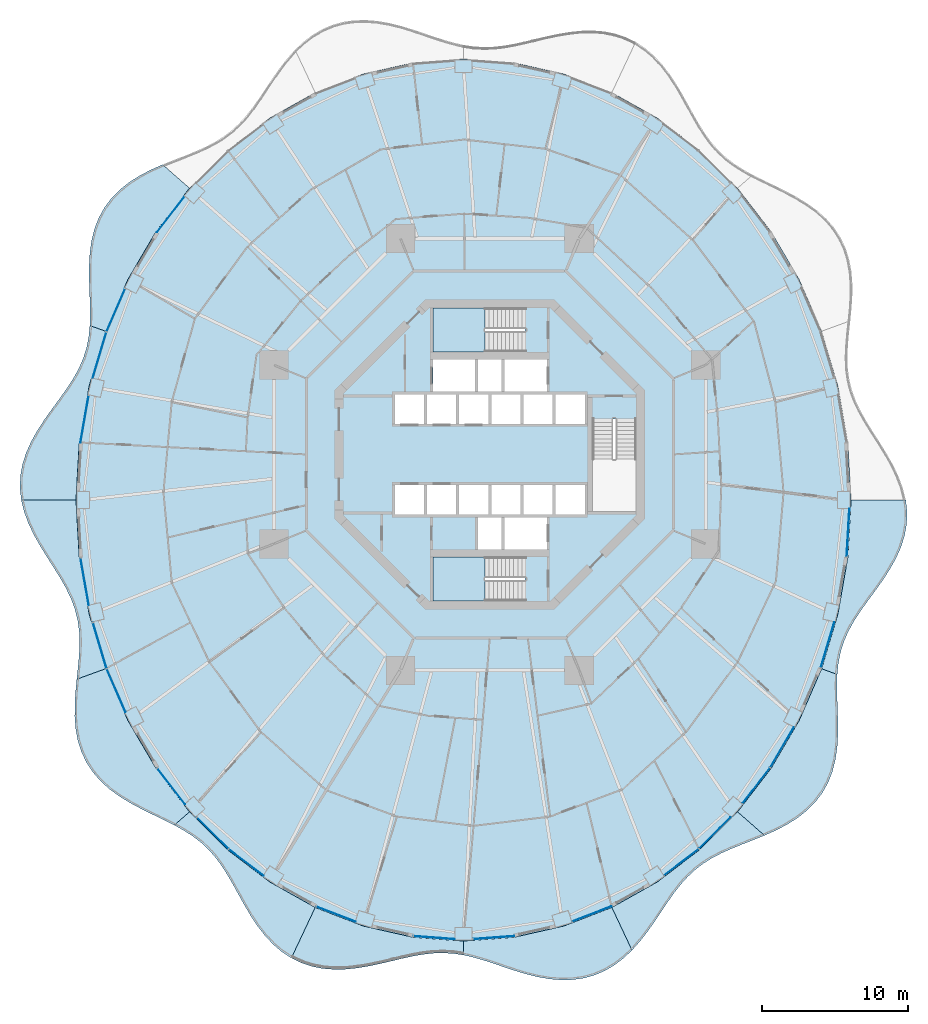
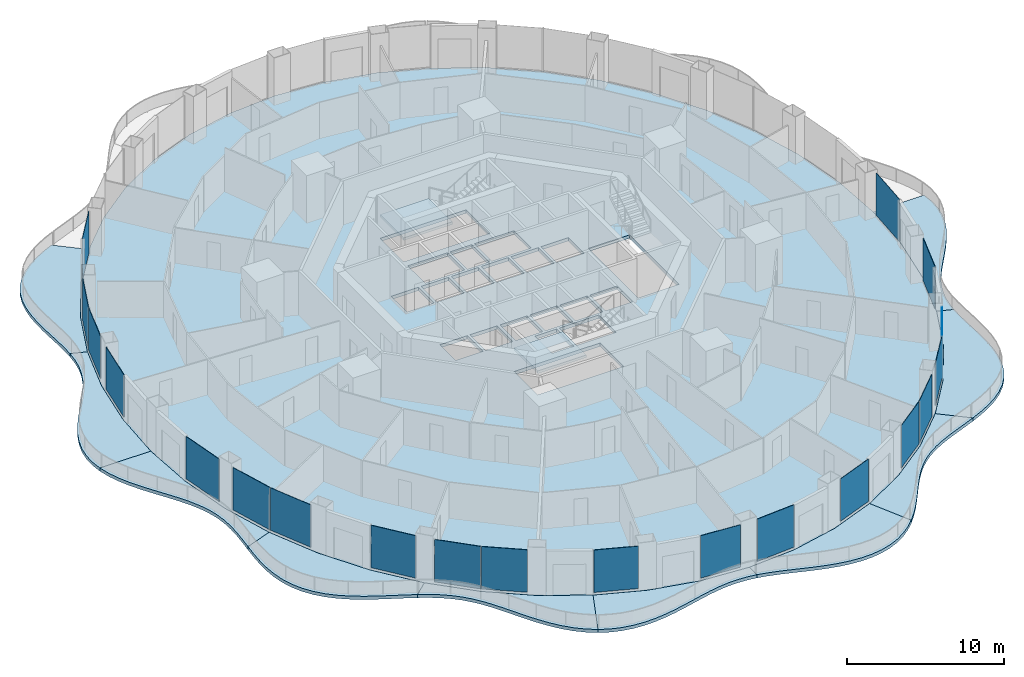
# One storey, part 9 of 19: 20 plates, 13 slabs, 22 elements without a shape of their own.
"""IFC4 building model written with IfcOpenShell, lengths in metres."""

from ifc_helpers import new_model, si_unit, direction, frame, origin, origin_2d, place, context, subcontext, project, spatial, polyline, rectangle, outline, extrude, material, layer, layer_set, type_object, element, aggregate, save


model = new_model("IFC4")

# Units and contexts
model_context = context("Model", 3, precision=1e-05, world=origin(), true_north=direction((0.0, 1.0)))
body_context = subcontext(model_context, "Body", "Model", "MODEL_VIEW")
ifc_project = project(units=[si_unit("LENGTHUNIT", "METRE"), si_unit("AREAUNIT", "SQUARE_METRE"), si_unit("VOLUMEUNIT", "CUBIC_METRE"), si_unit("PLANEANGLEUNIT", "RADIAN"), si_unit("MASSUNIT", "GRAM", prefix="KILO")], contexts=[model_context])

# Site, building, storey
site_placement = place(None, origin())
site = spatial("IfcSite", under=ifc_project, at=site_placement, CompositionType="ELEMENT")
building_placement = place(site_placement, origin())
building = spatial("IfcBuilding", under=site, at=building_placement, Name="Nagisa Residences", CompositionType="ELEMENT")
storey_placement = place(building_placement, frame((0.0, 0.0, 149.199951171875)))
storey = spatial("IfcBuildingStorey", under=building, at=storey_placement, Name="L37", CompositionType="ELEMENT", Elevation=149.199951171875)

# Slabs
ifc_material_1 = material(Name="Concrete C40/50", Category="concrete")
ifc_layer_1 = layer(ifc_material_1, 0.25)
ifc_layer_set_1 = layer_set([ifc_layer_1], Name="BALCONY SLAB 250")
slab_type_1 = type_object("IfcSlabType", Name="BALCONY SLAB 250", PredefinedType="FLOOR", material=ifc_layer_set_1)
slab_1_placement = place(storey_placement, frame((0.0, 0.0, -0.25)))
element("IfcSlab", 1, at=slab_1_placement, inside=storey, type_object=slab_type_1, Name="slab:L37:bal06", PredefinedType="FLOOR", context=body_context, shape_type="SweptSolid", body=[
    extrude(outline(polyline([(-22.398193359375, 19.845947265625), (-23.185791015625, 19.494873046875), (-23.947265625, 19.099609375), (-24.6630859375, 18.649658203125), (-25.315673828125, 18.13720703125), (-25.889892578125, 17.558837890625), (-26.375244140625, 16.915283203125), (-26.764892578125, 16.210693359375), (-27.058349609375, 15.452392578125), (-27.259765625, 14.651123046875), (-27.37890625, 13.818603515625), (-27.4306640625, 12.96728515625), (-27.433349609375, 12.1103515625), (-27.407958984375, 11.259033203125), (-27.37646484375, 10.423095703125), (-27.36083984375, 9.6103515625), (-27.381591796875, 8.82568359375), (-26.315185546875, 8.4375), (-24.780029296875, 11.979736328125), (-22.8515625, 15.263916015625), (-20.56298828125, 18.2333984375), (-22.398193359375, 19.845947265625)])), origin(), (0.0, 0.0, 1.0), 0.25),
])
slab_2_placement = place(storey_placement, frame((0.0, 0.0, -0.25)))
element("IfcSlab", 2, at=slab_2_placement, inside=storey, type_object=slab_type_1, Name="slab:L37:bal07", PredefinedType="FLOOR", context=body_context, shape_type="SweptSolid", body=[
    extrude(outline(polyline([(-27.381591796875, 8.82568359375), (-27.458984375, 8.047119140625), (-27.607177734375, 7.299072265625), (-27.833984375, 6.57763671875), (-28.140380859375, 5.876953125), (-28.521484375, 5.18896484375), (-28.96533203125, 4.505615234375), (-29.4541015625, 3.818359375), (-29.9658203125, 3.1201171875), (-30.4755859375, 2.404541015625), (-30.957275390625, 1.668212890625), (-31.385009765625, 0.90966796875), (-31.73583984375, 0.1298828125), (-31.990966796875, -0.66845703125), (-32.13623046875, -1.47998046875), (-32.16455078125, -2.298583984375), (-32.07568359375, -3.11767578125), (-28.3349609375, -3.11767578125), (-28.10791015625, 0.823486328125), (-27.430908203125, 4.697265625), (-26.315185546875, 8.4375), (-27.381591796875, 8.82568359375)])), origin(), (0.0, 0.0, 1.0), 0.25),
])
slab_3_placement = place(storey_placement, frame((0.0, 0.0, -0.25)))
element("IfcSlab", 3, at=slab_3_placement, inside=storey, type_object=slab_type_1, Name="slab:L37:bal08", PredefinedType="FLOOR", context=body_context, shape_type="SweptSolid", body=[
    extrude(outline(polyline([(-32.07568359375, -3.11767578125), (-31.876220703125, -3.9306640625), (-31.579345703125, -4.731689453125), (-31.203369140625, -5.516357421875), (-30.771484375, -6.2822265625), (-30.30908203125, -7.029052734375), (-29.8427734375, -7.759033203125), (-29.39794921875, -8.476318359375), (-28.9970703125, -9.186767578125), (-28.658447265625, -9.8974609375), (-28.394775390625, -10.615966796875), (-28.21240234375, -11.349365234375), (-28.110595703125, -12.104248046875), (-28.08203125, -12.885009765625), (-28.11328125, -13.693359375), (-28.185546875, -14.5283203125), (-28.2763671875, -15.38671875), (-26.315185546875, -14.6728515625), (-27.430908203125, -10.9326171875), (-28.10791015625, -7.058837890625), (-28.3349609375, -3.11767578125), (-32.07568359375, -3.11767578125)])), origin(), (0.0, 0.0, 1.0), 0.25),
])
slab_4_placement = place(storey_placement, frame((0.0, 0.0, -0.25)))
element("IfcSlab", 4, at=slab_4_placement, inside=storey, type_object=slab_type_1, Name="slab:L37:bal09", PredefinedType="FLOOR", context=body_context, shape_type="SweptSolid", body=[
    extrude(outline(polyline([(-28.2763671875, -15.38671875), (-28.358642578125, -16.234130859375), (-28.412841796875, -17.08837890625), (-28.416748046875, -17.939208984375), (-28.351806640625, -18.775390625), (-28.20263671875, -19.58544921875), (-27.958984375, -20.358154296875), (-27.61572265625, -21.083740234375), (-27.173583984375, -21.75537109375), (-26.638671875, -22.3681640625), (-26.022216796875, -22.92138671875), (-25.33935546875, -23.41796875), (-24.608154296875, -23.8642578125), (-23.84912109375, -24.269775390625), (-23.081787109375, -24.647216796875), (-22.32568359375, -25.01123046875), (-21.597412109375, -25.377685546875), (-20.56298828125, -24.46875), (-22.8515625, -21.499267578125), (-24.780029296875, -18.215087890625), (-26.315185546875, -14.6728515625), (-28.2763671875, -15.38671875)])), origin(), (0.0, 0.0, 1.0), 0.25),
])
slab_5_placement = place(storey_placement, frame((0.0, 0.0, -0.25)))
element("IfcSlab", 5, at=slab_5_placement, inside=storey, type_object=slab_type_1, Name="slab:L37:bal10", PredefinedType="FLOOR", context=body_context, shape_type="SweptSolid", body=[
    extrude(outline(polyline([(-21.597412109375, -25.377685546875), (-20.941162109375, -25.7431640625), (-20.330322265625, -26.136962890625), (-19.768798828125, -26.56982421875), (-19.256103515625, -27.04931640625), (-18.788818359375, -27.579833984375), (-18.359375, -28.16162109375), (-17.957275390625, -28.791259765625), (-17.5703125, -29.461181640625), (-17.185302734375, -30.159912109375), (-16.7880859375, -30.873046875), (-16.365966796875, -31.583984375), (-15.908203125, -32.274169921875), (-15.405517578125, -32.925048828125), (-14.852294921875, -33.519287109375), (-14.245849609375, -34.040771484375), (-13.586669921875, -34.47705078125), (-11.95458984375, -31.01416015625), (-15.0673828125, -29.267333984375), (-17.953369140625, -27.072998046875), (-20.56298828125, -24.46875), (-21.597412109375, -25.377685546875)])), origin(), (0.0, 0.0, 1.0), 0.25),
])
slab_6_placement = place(storey_placement, frame((0.0, 0.0, -0.25)))
element("IfcSlab", 6, at=slab_6_placement, inside=storey, type_object=slab_type_1, Name="slab:L37:bal11", PredefinedType="FLOOR", context=body_context, shape_type="SweptSolid", body=[
    extrude(outline(polyline([(-13.586669921875, -34.47705078125), (-12.905029296875, -34.808349609375), (-12.18359375, -35.04833984375), (-11.429931640625, -35.197021484375), (-10.653076171875, -35.25927734375), (-9.86181640625, -35.2431640625), (-9.065673828125, -35.1611328125), (-8.272705078125, -35.028564453125), (-7.490478515625, -34.8623046875), (-6.7236328125, -34.6806640625), (-5.975830078125, -34.50244140625), (-5.24755859375, -34.344482421875), (-4.537841796875, -34.22216796875), (-3.84326171875, -34.1474609375), (-3.159423828125, -34.12890625), (-2.480224609375, -34.170654296875), (-1.800048828125, -34.27197265625), (-1.800048828125, -33.312744140625), (-5.263427734375, -33.054443359375), (-8.667724609375, -32.283935546875), (-11.95458984375, -31.01416015625), (-13.586669921875, -34.47705078125)])), origin(), (0.0, 0.0, 1.0), 0.25),
])
slab_7_placement = place(storey_placement, frame((0.0, 0.0, -0.25)))
element("IfcSlab", 7, at=slab_7_placement, inside=storey, type_object=slab_type_1, Name="slab:L37:bal12", PredefinedType="FLOOR", context=body_context, shape_type="SweptSolid", body=[
    extrude(outline(polyline([(-1.800048828125, -34.27197265625), (-1.1123046875, -34.427978515625), (-0.412353515625, -34.629150390625), (0.3037109375, -34.863037109375), (1.038330078125, -35.113525390625), (1.79150390625, -35.362548828125), (2.560791015625, -35.591552734375), (3.342529296875, -35.78173828125), (4.13037109375, -35.916015625), (4.9169921875, -35.979248046875), (5.694091796875, -35.95947265625), (6.453125, -35.848388671875), (7.185546875, -35.642333984375), (7.884521484375, -35.341796875), (8.544189453125, -34.95166015625), (9.1611328125, -34.48095703125), (9.734130859375, -33.941162109375), (8.3544921875, -31.01416015625), (5.06787109375, -32.283935546875), (1.66357421875, -33.054443359375), (-1.800048828125, -33.312744140625), (-1.800048828125, -34.27197265625)])), origin(), (0.0, 0.0, 1.0), 0.25),
])
slab_8_placement = place(storey_placement, frame((0.0, 0.0, -0.25)))
element("IfcSlab", 8, at=slab_8_placement, inside=storey, type_object=slab_type_1, Name="slab:L37:bal13", PredefinedType="FLOOR", context=body_context, shape_type="SweptSolid", body=[
    extrude(outline(polyline([(9.734130859375, -33.941162109375), (10.2841796875, -33.324951171875), (10.79345703125, -32.669189453125), (11.27001953125, -31.993408203125), (11.723388671875, -31.316650390625), (12.165283203125, -30.656494140625), (12.6083984375, -30.027587890625), (13.065185546875, -29.442138671875), (13.54736328125, -28.907470703125), (14.06396484375, -28.427001953125), (14.62255859375, -28.000244140625), (15.2265625, -27.621826171875), (15.8759765625, -27.28369140625), (16.56689453125, -26.974609375), (17.292236328125, -26.6806640625), (18.04052734375, -26.3876953125), (18.798095703125, -26.081298828125), (16.963134765625, -24.46875), (14.353515625, -27.072998046875), (11.467529296875, -29.267333984375), (8.3544921875, -31.01416015625), (9.734130859375, -33.941162109375)])), origin(), (0.0, 0.0, 1.0), 0.25),
])
slab_9_placement = place(storey_placement, frame((0.0, 0.0, -0.25)))
element("IfcSlab", 9, at=slab_9_placement, inside=storey, type_object=slab_type_1, Name="slab:L37:bal14", PredefinedType="FLOOR", context=body_context, shape_type="SweptSolid", body=[
    extrude(outline(polyline([(18.798095703125, -26.081298828125), (19.585693359375, -25.730224609375), (20.34716796875, -25.3349609375), (21.06298828125, -24.885009765625), (21.715576171875, -24.37255859375), (22.2900390625, -23.794189453125), (22.775146484375, -23.150634765625), (23.1650390625, -22.446044921875), (23.458251953125, -21.68798828125), (23.65966796875, -20.886474609375), (23.779052734375, -20.053955078125), (23.830810546875, -19.20263671875), (23.83349609375, -18.345703125), (23.807861328125, -17.494384765625), (23.7763671875, -16.658447265625), (23.760986328125, -15.845947265625), (23.78173828125, -15.06103515625), (22.715087890625, -14.6728515625), (21.179931640625, -18.215087890625), (19.251708984375, -21.499267578125), (16.963134765625, -24.46875), (18.798095703125, -26.081298828125)])), origin(), (0.0, 0.0, 1.0), 0.25),
])
slab_10_placement = place(storey_placement, frame((0.0, 0.0, -0.25)))
element("IfcSlab", 10, at=slab_10_placement, inside=storey, type_object=slab_type_1, Name="slab:L37:bal15", PredefinedType="FLOOR", context=body_context, shape_type="SweptSolid", body=[
    extrude(outline(polyline([(23.78173828125, -15.06103515625), (23.859130859375, -14.282470703125), (24.007080078125, -13.534423828125), (24.23388671875, -12.81298828125), (24.54052734375, -12.1123046875), (24.921630859375, -11.42431640625), (25.365234375, -10.740966796875), (25.85400390625, -10.0537109375), (26.36572265625, -9.35546875), (26.87548828125, -8.639892578125), (27.357177734375, -7.90380859375), (27.78515625, -7.14501953125), (28.135986328125, -6.365234375), (28.390869140625, -5.567138671875), (28.5361328125, -4.755615234375), (28.564697265625, -3.936767578125), (28.475830078125, -3.11767578125), (24.735107421875, -3.11767578125), (24.508056640625, -7.058837890625), (23.830810546875, -10.9326171875), (22.715087890625, -14.6728515625), (23.78173828125, -15.06103515625)])), origin(), (0.0, 0.0, 1.0), 0.25),
])

# Curtain wall, plate
ifc_material_2 = material(Name="Concrete-coloured aluminium curtain wall system", Category="concrete")
ifc_layer_2 = layer(ifc_material_2, 0.159912109375)
ifc_layer_set_2 = layer_set([ifc_layer_2], Name="CW1 CURTAIN WALL")
curtain_wall_type = type_object("IfcCurtainWallType", Name="CW1 CURTAIN WALL", PredefinedType="NOTDEFINED", material=ifc_layer_set_2)
curtain_wall_1_placement = place(storey_placement, origin())
curtain_wall_1 = element("IfcCurtainWall", 11, at=curtain_wall_1_placement, inside=storey, type_object=curtain_wall_type, Name="cw:CW1:L37:18", PredefinedType="NOTDEFINED")
ifc_material_3 = material(Name="Clear laminated glass", Category="glass")
ifc_layer_3 = layer(ifc_material_3, 0.028076171875)
ifc_layer_set_3 = layer_set([ifc_layer_3], Name="CW1 GLASS PANEL")
plate_type = type_object("IfcPlateType", Name="CW1 GLASS PANEL", PredefinedType="CURTAIN_PANEL", material=ifc_layer_set_3)
plate_1_placement = place(storey_placement, frame((-21.845458984375, 16.4384765625, 0.150146484375), z_axis=(0.0, 0.0, 1.0), x_axis=(-0.610429828235, -0.792070340816, 0.0)))
plate_1 = element("IfcPlate", 12, at=plate_1_placement, type_object=plate_type, Name="CW1 panel", PredefinedType="CURTAIN_PANEL", context=body_context, shape_type="SweptSolid", body=[
    extrude(rectangle(XDim=3.089111328125, YDim=0.028076171875, at=origin_2d()), origin(), (0.0, 0.0, 1.0), 3.2900390625),
])
aggregate(curtain_wall_1, [plate_1])

curtain_wall_2_placement = place(storey_placement, origin())
curtain_wall_2 = element("IfcCurtainWall", 13, at=curtain_wall_2_placement, inside=storey, type_object=curtain_wall_type, Name="cw:CW1:L37:20", PredefinedType="NOTDEFINED")
plate_2_placement = place(storey_placement, frame((-25.60546875, 9.8740234375, 0.150146484375), z_axis=(0.0, 0.0, 1.0), x_axis=(-0.397635934147, -0.917543276295, 0.0)))
plate_2 = element("IfcPlate", 14, at=plate_2_placement, type_object=plate_type, Name="CW1 panel", PredefinedType="CURTAIN_PANEL", context=body_context, shape_type="SweptSolid", body=[
    extrude(rectangle(XDim=3.20068359375, YDim=0.028076171875, at=origin_2d()), origin(), (0.0, 0.0, 1.0), 3.2900390625),
])
aggregate(curtain_wall_2, [plate_2])

curtain_wall_3_placement = place(storey_placement, origin())
curtain_wall_3 = element("IfcCurtainWall", 15, at=curtain_wall_3_placement, inside=storey, type_object=curtain_wall_type, Name="cw:CW1:L37:21", PredefinedType="NOTDEFINED")
plate_3_placement = place(storey_placement, frame((-26.71923828125, 6.80322265625, 0.150146484375), z_axis=(0.0, 0.0, 1.0), x_axis=(-0.285860274038, -0.958271310082, 0.0)))
plate_3 = element("IfcPlate", 16, at=plate_3_placement, type_object=plate_type, Name="CW1 panel", PredefinedType="CURTAIN_PANEL", context=body_context, shape_type="SweptSolid", body=[
    extrude(rectangle(XDim=3.242919921875, YDim=0.028076171875, at=origin_2d()), origin(), (0.0, 0.0, 1.0), 3.2900390625),
])
aggregate(curtain_wall_3, [plate_3])

curtain_wall_4_placement = place(storey_placement, origin())
curtain_wall_4 = element("IfcCurtainWall", 17, at=curtain_wall_4_placement, inside=storey, type_object=curtain_wall_type, Name="cw:CW1:L37:22", PredefinedType="NOTDEFINED")
plate_4_placement = place(storey_placement, frame((-27.747314453125, 2.421630859375, 0.150146484375), z_axis=(0.0, 0.0, 1.0), x_axis=(-0.172190868898, -0.985063604377, 0.0)))
plate_4 = element("IfcPlate", 18, at=plate_4_placement, type_object=plate_type, Name="CW1 panel", PredefinedType="CURTAIN_PANEL", context=body_context, shape_type="SweptSolid", body=[
    extrude(rectangle(XDim=3.2724609375, YDim=0.028076171875, at=origin_2d()), origin(), (0.0, 0.0, 1.0), 3.2900390625),
])
aggregate(curtain_wall_4, [plate_4])

curtain_wall_5_placement = place(storey_placement, origin())
curtain_wall_5 = element("IfcCurtainWall", 19, at=curtain_wall_5_placement, inside=storey, type_object=curtain_wall_type, Name="cw:CW1:L37:25", PredefinedType="NOTDEFINED")
plate_5_placement = place(storey_placement, frame((-27.737060546875, -8.716064453125, 0.150146484375), z_axis=(0.0, 0.0, 1.0), x_axis=(0.172190868898, -0.985063604377, 0.0)))
plate_5 = element("IfcPlate", 20, at=plate_5_placement, type_object=plate_type, Name="CW1 panel", PredefinedType="CURTAIN_PANEL", context=body_context, shape_type="SweptSolid", body=[
    extrude(rectangle(XDim=3.2724609375, YDim=0.028076171875, at=origin_2d()), origin(), (0.0, 0.0, 1.0), 3.2900390625),
])
aggregate(curtain_wall_5, [plate_5])

curtain_wall_6_placement = place(storey_placement, origin())
curtain_wall_6 = element("IfcCurtainWall", 21, at=curtain_wall_6_placement, inside=storey, type_object=curtain_wall_type, Name="cw:CW1:L37:26", PredefinedType="NOTDEFINED")
plate_6_placement = place(storey_placement, frame((-26.701904296875, -13.09619140625, 0.150146484375), z_axis=(0.0, 0.0, 1.0), x_axis=(0.285860274038, -0.958271310082, 0.0)))
plate_6 = element("IfcPlate", 22, at=plate_6_placement, type_object=plate_type, Name="CW1 panel", PredefinedType="CURTAIN_PANEL", context=body_context, shape_type="SweptSolid", body=[
    extrude(rectangle(XDim=3.242919921875, YDim=0.028076171875, at=origin_2d()), origin(), (0.0, 0.0, 1.0), 3.2900390625),
])
aggregate(curtain_wall_6, [plate_6])

curtain_wall_7_placement = place(storey_placement, origin())
curtain_wall_7 = element("IfcCurtainWall", 23, at=curtain_wall_7_placement, inside=storey, type_object=curtain_wall_type, Name="cw:CW1:L37:27", PredefinedType="NOTDEFINED")
plate_7_placement = place(storey_placement, frame((-25.58154296875, -16.16455078125, 0.150146484375), z_axis=(0.0, 0.0, 1.0), x_axis=(0.397635934147, -0.917543276295, 0.0)))
plate_7 = element("IfcPlate", 24, at=plate_7_placement, type_object=plate_type, Name="CW1 panel", PredefinedType="CURTAIN_PANEL", context=body_context, shape_type="SweptSolid", body=[
    extrude(rectangle(XDim=3.20068359375, YDim=0.028076171875, at=origin_2d()), origin(), (0.0, 0.0, 1.0), 3.2900390625),
])
aggregate(curtain_wall_7, [plate_7])

curtain_wall_8_placement = place(storey_placement, origin())
curtain_wall_8 = element("IfcCurtainWall", 25, at=curtain_wall_8_placement, inside=storey, type_object=curtain_wall_type, Name="cw:CW1:L37:29", PredefinedType="NOTDEFINED")
plate_8_placement = place(storey_placement, frame((-21.808837890625, -22.721435546875, 0.150146484375), z_axis=(0.0, 0.0, 1.0), x_axis=(0.610429828235, -0.792070340816, 0.0)))
plate_8 = element("IfcPlate", 26, at=plate_8_placement, type_object=plate_type, Name="CW1 panel", PredefinedType="CURTAIN_PANEL", context=body_context, shape_type="SweptSolid", body=[
    extrude(rectangle(XDim=3.089111328125, YDim=0.028076171875, at=origin_2d()), origin(), (0.0, 0.0, 1.0), 3.2900390625),
])
aggregate(curtain_wall_8, [plate_8])

curtain_wall_9_placement = place(storey_placement, origin())
curtain_wall_9 = element("IfcCurtainWall", 27, at=curtain_wall_9_placement, inside=storey, type_object=curtain_wall_type, Name="cw:CW1:L37:30", PredefinedType="NOTDEFINED")
plate_9_placement = place(storey_placement, frame((-18.96826171875, -25.947265625, 0.150146484375), z_axis=(0.0, 0.0, 1.0), x_axis=(0.707835924016, -0.706376885714, 0.0)))
plate_9 = element("IfcPlate", 28, at=plate_9_placement, type_object=plate_type, Name="CW1 panel", PredefinedType="CURTAIN_PANEL", context=body_context, shape_type="SweptSolid", body=[
    extrude(rectangle(XDim=3.026611328125, YDim=0.028076171875, at=origin_2d()), origin(), (0.0, 0.0, 1.0), 3.2900390625),
])
aggregate(curtain_wall_9, [plate_9])

curtain_wall_10_placement = place(storey_placement, origin())
curtain_wall_10 = element("IfcCurtainWall", 29, at=curtain_wall_10_placement, inside=storey, type_object=curtain_wall_type, Name="cw:CW1:L37:31", PredefinedType="NOTDEFINED")
plate_10_placement = place(storey_placement, frame((-16.677001953125, -27.943115234375, 0.150146484375), z_axis=(0.0, 0.0, 1.0), x_axis=(0.79603132756, -0.605255421737, 0.0)))
plate_10 = element("IfcPlate", 30, at=plate_10_placement, type_object=plate_type, Name="CW1 panel", PredefinedType="CURTAIN_PANEL", context=body_context, shape_type="SweptSolid", body=[
    extrude(rectangle(XDim=2.965576171875, YDim=0.028076171875, at=origin_2d()), origin(), (0.0, 0.0, 1.0), 3.2900390625),
])
aggregate(curtain_wall_10, [plate_10])

curtain_wall_11_placement = place(storey_placement, origin())
curtain_wall_11 = element("IfcCurtainWall", 31, at=curtain_wall_11_placement, inside=storey, type_object=curtain_wall_type, Name="cw:CW1:L37:33", PredefinedType="NOTDEFINED")
plate_11_placement = place(storey_placement, frame((-10.5341796875, -31.47705078125, 0.150146484375), z_axis=(0.0, 0.0, 1.0), x_axis=(0.932825759707, -0.360327770268, 0.0)))
plate_11 = element("IfcPlate", 32, at=plate_11_placement, type_object=plate_type, Name="CW1 panel", PredefinedType="CURTAIN_PANEL", context=body_context, shape_type="SweptSolid", body=[
    extrude(rectangle(XDim=2.863525390625, YDim=0.028076171875, at=origin_2d()), origin(), (0.0, 0.0, 1.0), 3.2900390625),
])
aggregate(curtain_wall_11, [plate_11])

curtain_wall_12_placement = place(storey_placement, origin())
curtain_wall_12 = element("IfcCurtainWall", 33, at=curtain_wall_12_placement, inside=storey, type_object=curtain_wall_type, Name="cw:CW1:L37:35", PredefinedType="NOTDEFINED")
plate_12_placement = place(storey_placement, frame((-3.795166015625, -33.083740234375, 0.150146484375), z_axis=(0.0, 0.0, 1.0), x_axis=(0.997230168512, -0.074377355493, 0.0)))
plate_12 = element("IfcPlate", 34, at=plate_12_placement, type_object=plate_type, Name="CW1 panel", PredefinedType="CURTAIN_PANEL", context=body_context, shape_type="SweptSolid", body=[
    extrude(rectangle(XDim=2.813232421875, YDim=0.028076171875, at=origin_2d()), origin(), (0.0, 0.0, 1.0), 3.2900390625),
])
aggregate(curtain_wall_12, [plate_12])

curtain_wall_13_placement = place(storey_placement, origin())
curtain_wall_13 = element("IfcCurtainWall", 35, at=curtain_wall_13_placement, inside=storey, type_object=curtain_wall_type, Name="cw:CW1:L37:36", PredefinedType="NOTDEFINED")
plate_13_placement = place(storey_placement, frame((0.2548828125, -33.0791015625, 0.150146484375), z_axis=(0.0, 0.0, 1.0), x_axis=(0.997230168512, 0.074377355493, 0.0)))
plate_13 = element("IfcPlate", 36, at=plate_13_placement, type_object=plate_type, Name="CW1 panel", PredefinedType="CURTAIN_PANEL", context=body_context, shape_type="SweptSolid", body=[
    extrude(rectangle(XDim=2.813232421875, YDim=0.028076171875, at=origin_2d()), origin(), (0.0, 0.0, 1.0), 3.2900390625),
])
aggregate(curtain_wall_13, [plate_13])

curtain_wall_14_placement = place(storey_placement, origin())
curtain_wall_14 = element("IfcCurtainWall", 37, at=curtain_wall_14_placement, inside=storey, type_object=curtain_wall_type, Name="cw:CW1:L37:38", PredefinedType="NOTDEFINED")
plate_14_placement = place(storey_placement, frame((6.990234375, -31.45556640625, 0.150146484375), z_axis=(0.0, 0.0, 1.0), x_axis=(0.932825759707, 0.360327770268, 0.0)))
plate_14 = element("IfcPlate", 38, at=plate_14_placement, type_object=plate_type, Name="CW1 panel", PredefinedType="CURTAIN_PANEL", context=body_context, shape_type="SweptSolid", body=[
    extrude(rectangle(XDim=2.863525390625, YDim=0.028076171875, at=origin_2d()), origin(), (0.0, 0.0, 1.0), 3.2900390625),
])
aggregate(curtain_wall_14, [plate_14])

curtain_wall_15_placement = place(storey_placement, origin())
curtain_wall_15 = element("IfcCurtainWall", 39, at=curtain_wall_15_placement, inside=storey, type_object=curtain_wall_type, Name="cw:CW1:L37:40", PredefinedType="NOTDEFINED")
plate_15_placement = place(storey_placement, frame((13.124755859375, -27.90673828125, 0.150146484375), z_axis=(0.0, 0.0, 1.0), x_axis=(0.79603132756, 0.605255421737, 0.0)))
plate_15 = element("IfcPlate", 40, at=plate_15_placement, type_object=plate_type, Name="CW1 panel", PredefinedType="CURTAIN_PANEL", context=body_context, shape_type="SweptSolid", body=[
    extrude(rectangle(XDim=2.965576171875, YDim=0.028076171875, at=origin_2d()), origin(), (0.0, 0.0, 1.0), 3.2900390625),
])
aggregate(curtain_wall_15, [plate_15])

curtain_wall_16_placement = place(storey_placement, origin())
curtain_wall_16 = element("IfcCurtainWall", 41, at=curtain_wall_16_placement, inside=storey, type_object=curtain_wall_type, Name="cw:CW1:L37:41", PredefinedType="NOTDEFINED")
plate_16_placement = place(storey_placement, frame((15.41064453125, -25.905029296875, 0.150146484375), z_axis=(0.0, 0.0, 1.0), x_axis=(0.707835924016, 0.706376885714, 0.0)))
plate_16 = element("IfcPlate", 42, at=plate_16_placement, type_object=plate_type, Name="CW1 panel", PredefinedType="CURTAIN_PANEL", context=body_context, shape_type="SweptSolid", body=[
    extrude(rectangle(XDim=3.026611328125, YDim=0.028076171875, at=origin_2d()), origin(), (0.0, 0.0, 1.0), 3.2900390625),
])
aggregate(curtain_wall_16, [plate_16])

curtain_wall_17_placement = place(storey_placement, origin())
curtain_wall_17 = element("IfcCurtainWall", 43, at=curtain_wall_17_placement, inside=storey, type_object=curtain_wall_type, Name="cw:CW1:L37:42", PredefinedType="NOTDEFINED")
plate_17_placement = place(storey_placement, frame((18.245361328125, -22.673828125, 0.150146484375), z_axis=(0.0, 0.0, 1.0), x_axis=(0.610429828235, 0.792070340816, 0.0)))
plate_17 = element("IfcPlate", 44, at=plate_17_placement, type_object=plate_type, Name="CW1 panel", PredefinedType="CURTAIN_PANEL", context=body_context, shape_type="SweptSolid", body=[
    extrude(rectangle(XDim=3.089111328125, YDim=0.028076171875, at=origin_2d()), origin(), (0.0, 0.0, 1.0), 3.2900390625),
])
aggregate(curtain_wall_17, [plate_17])

curtain_wall_18_placement = place(storey_placement, origin())
curtain_wall_18 = element("IfcCurtainWall", 45, at=curtain_wall_18_placement, inside=storey, type_object=curtain_wall_type, Name="cw:CW1:L37:43", PredefinedType="NOTDEFINED")
plate_18_placement = place(storey_placement, frame((20.010009765625, -20.049560546875, 0.150146484375), z_axis=(0.0, 0.0, 1.0), x_axis=(0.506348567002, 0.862328898214, 0.0)))
plate_18 = element("IfcPlate", 46, at=plate_18_placement, type_object=plate_type, Name="CW1 panel", PredefinedType="CURTAIN_PANEL", context=body_context, shape_type="SweptSolid", body=[
    extrude(rectangle(XDim=3.1484375, YDim=0.028076171875, at=origin_2d()), origin(), (0.0, 0.0, 1.0), 3.2900390625),
])
aggregate(curtain_wall_18, [plate_18])

curtain_wall_19_placement = place(storey_placement, origin())
curtain_wall_19 = element("IfcCurtainWall", 47, at=curtain_wall_19_placement, inside=storey, type_object=curtain_wall_type, Name="cw:CW1:L37:45", PredefinedType="NOTDEFINED")
plate_19_placement = place(storey_placement, frame((23.119140625, -13.03857421875, 0.150146484375), z_axis=(0.0, 0.0, 1.0), x_axis=(0.285860274038, 0.958271310082, 0.0)))
plate_19 = element("IfcPlate", 48, at=plate_19_placement, type_object=plate_type, Name="CW1 panel", PredefinedType="CURTAIN_PANEL", context=body_context, shape_type="SweptSolid", body=[
    extrude(rectangle(XDim=3.242919921875, YDim=0.028076171875, at=origin_2d()), origin(), (0.0, 0.0, 1.0), 3.2900390625),
])
aggregate(curtain_wall_19, [plate_19])

curtain_wall_20_placement = place(storey_placement, origin())
curtain_wall_20 = element("IfcCurtainWall", 49, at=curtain_wall_20_placement, inside=storey, type_object=curtain_wall_type, Name="cw:CW1:L37:47", PredefinedType="NOTDEFINED")
plate_20_placement = place(storey_placement, frame((24.526123046875, -5.353271484375, 0.150146484375), z_axis=(0.0, 0.0, 1.0), x_axis=(0.057503492216, 0.998345305184, 0.0)))
plate_20 = element("IfcPlate", 50, at=plate_20_placement, type_object=plate_type, Name="CW1 panel", PredefinedType="CURTAIN_PANEL", context=body_context, shape_type="SweptSolid", body=[
    extrude(rectangle(XDim=3.287841796875, YDim=0.028076171875, at=origin_2d()), origin(), (0.0, 0.0, 1.0), 3.2900390625),
])
aggregate(curtain_wall_20, [plate_20])

# Slab
ifc_material_4 = material(Name="Concrete C40", Category="concrete")
ifc_layer_4 = layer(ifc_material_4, 0.260009765625)
ifc_layer_set_4 = layer_set([ifc_layer_4], Name="Floor slab 260")
slab_type_2 = type_object("IfcSlabType", Name="Floor slab 260", PredefinedType="FLOOR", material=ifc_layer_set_4)
slab_11_placement = place(storey_placement, frame((0.0, 0.0, -0.260009765625)))
element("IfcSlab", 51, at=slab_11_placement, inside=storey, type_object=slab_type_2, Name="slab:L37:floor", PredefinedType="FLOOR", context=body_context, shape_type="SweptSolid", body=[
    extrude(outline(polyline([(24.735107421875, -3.11767578125), (24.508056640625, 0.823486328125), (23.830810546875, 4.697265625), (22.715087890625, 8.4375), (21.179931640625, 11.979736328125), (19.251708984375, 15.263916015625), (16.963134765625, 18.2333984375), (14.353515625, 20.837646484375), (11.467529296875, 23.031982421875), (8.3544921875, 24.77880859375), (5.06787109375, 26.04833984375), (1.66357421875, 26.819091796875), (-1.800048828125, 27.077392578125), (-5.263427734375, 26.819091796875), (-8.667724609375, 26.04833984375), (-11.95458984375, 24.77880859375), (-15.0673828125, 23.031982421875), (-17.953369140625, 20.837646484375), (-20.56298828125, 18.2333984375), (-22.8515625, 15.263916015625), (-24.780029296875, 11.979736328125), (-26.315185546875, 8.4375), (-27.430908203125, 4.697265625), (-28.10791015625, 0.823486328125), (-28.3349609375, -3.11767578125), (-28.10791015625, -7.058837890625), (-27.430908203125, -10.9326171875), (-26.315185546875, -14.6728515625), (-24.780029296875, -18.215087890625), (-22.8515625, -21.499267578125), (-20.56298828125, -24.46875), (-17.953369140625, -27.072998046875), (-15.0673828125, -29.267333984375), (-11.95458984375, -31.01416015625), (-8.667724609375, -32.283935546875), (-5.263427734375, -33.054443359375), (-1.800048828125, -33.312744140625), (1.66357421875, -33.054443359375), (5.06787109375, -32.283935546875), (8.3544921875, -31.01416015625), (11.467529296875, -29.267333984375), (14.353515625, -27.072998046875), (16.963134765625, -24.46875), (19.251708984375, -21.499267578125), (21.179931640625, -18.215087890625), (22.715087890625, -14.6728515625), (23.830810546875, -10.9326171875), (24.508056640625, -7.058837890625), (24.735107421875, -3.11767578125)]), holes=[polyline([(-4.5, 2.10009765625), (-4.5, 4.10009765625), (-6.5, 4.10009765625), (-6.5, 2.10009765625), (-4.5, 2.10009765625)]), polyline([(-2.300048828125, 2.10009765625), (-2.300048828125, 4.10009765625), (-4.300048828125, 4.10009765625), (-4.300048828125, 2.10009765625), (-2.300048828125, 2.10009765625)]), polyline([(-0.10009765625, 2.10009765625), (-0.10009765625, 4.10009765625), (-2.10009765625, 4.10009765625), (-2.10009765625, 2.10009765625), (-0.10009765625, 2.10009765625)]), polyline([(2.10009765625, 2.10009765625), (2.10009765625, 4.10009765625), (0.10009765625, 4.10009765625), (0.10009765625, 2.10009765625), (2.10009765625, 2.10009765625)]), polyline([(4.300048828125, 2.10009765625), (4.300048828125, 4.10009765625), (2.300048828125, 4.10009765625), (2.300048828125, 2.10009765625), (4.300048828125, 2.10009765625)]), polyline([(6.5, 2.10009765625), (6.5, 4.10009765625), (4.5, 4.10009765625), (4.5, 2.10009765625), (6.5, 2.10009765625)]), polyline([(-4.5, -4.10009765625), (-4.5, -2.10009765625), (-6.5, -2.10009765625), (-6.5, -4.10009765625), (-4.5, -4.10009765625)]), polyline([(-2.300048828125, -4.10009765625), (-2.300048828125, -2.10009765625), (-4.300048828125, -2.10009765625), (-4.300048828125, -4.10009765625), (-2.300048828125, -4.10009765625)]), polyline([(-0.10009765625, -4.10009765625), (-0.10009765625, -2.10009765625), (-2.10009765625, -2.10009765625), (-2.10009765625, -4.10009765625), (-0.10009765625, -4.10009765625)]), polyline([(2.10009765625, -4.10009765625), (2.10009765625, -2.10009765625), (0.10009765625, -2.10009765625), (0.10009765625, -4.10009765625), (2.10009765625, -4.10009765625)]), polyline([(4.300048828125, -4.10009765625), (4.300048828125, -2.10009765625), (2.300048828125, -2.10009765625), (2.300048828125, -4.10009765625), (4.300048828125, -4.10009765625)]), polyline([(6.5, -4.10009765625), (6.5, -2.10009765625), (4.5, -2.10009765625), (4.5, -4.10009765625), (6.5, -4.10009765625)]), polyline([(3.89990234375, 4.300048828125), (3.89990234375, 6.5), (1.0, 6.5), (1.0, 4.300048828125), (3.89990234375, 4.300048828125)]), polyline([(3.89990234375, -6.5), (3.89990234375, -4.300048828125), (1.0, -4.300048828125), (1.0, -6.5), (3.89990234375, -6.5)]), polyline([(-1.0, 4.300048828125), (-1.0, 6.5), (-3.89990234375, 6.5), (-3.89990234375, 4.300048828125), (-1.0, 4.300048828125)]), polyline([(0.800048828125, 4.300048828125), (0.800048828125, 6.5), (-0.800048828125, 6.5), (-0.800048828125, 4.300048828125), (0.800048828125, 4.300048828125)]), polyline([(0.800048828125, -6.5), (0.800048828125, -4.300048828125), (-0.800048828125, -4.300048828125), (-0.800048828125, -6.5), (0.800048828125, -6.5)]), polyline([(10.024658203125, -3.89990234375), (7.024658203125, -3.89990234375), (7.024658203125, 2.425048828125), (10.024658203125, 2.425048828125), (10.024658203125, -3.89990234375)]), polyline([(-3.89990234375, 7.024658203125), (-3.89990234375, 10.024658203125), (2.425048828125, 10.024658203125), (2.425048828125, 7.024658203125), (-3.89990234375, 7.024658203125)]), polyline([(-3.89990234375, -10.024658203125), (-3.89990234375, -7.024658203125), (2.425048828125, -7.024658203125), (2.425048828125, -10.024658203125), (-3.89990234375, -10.024658203125)])]), origin(), (0.0, 0.0, 1.0), 0.260009765625),
])

# Stair, slab
ifc_material_5 = material(Name="Concrete C60", Category="concrete")
stair_type = type_object("IfcStairType", Name="Exit stair", PredefinedType="HALF_TURN_STAIR", material=ifc_material_5)
stair_1_placement = place(storey_placement, origin())
stair_1 = element("IfcStair", 52, at=stair_1_placement, inside=storey, type_object=stair_type, Name="L37 Exit stair N", PredefinedType="HALF_TURN_STAIR")
ifc_material_6 = material(Name="Concrete C60", Category="concrete")
ifc_layer_5 = layer(ifc_material_6, 0.199951171875)
ifc_layer_set_5 = layer_set([ifc_layer_5], Name="Stair landing")
slab_type_3 = type_object("IfcSlabType", Name="Stair landing", PredefinedType="LANDING", material=ifc_layer_set_5)
slab_12_placement = place(storey_placement, frame((0.0, 0.0, 1.650146484375)))
slab_12 = element("IfcSlab", 53, at=slab_12_placement, type_object=slab_type_3, Name="ST-N landing 1", PredefinedType="LANDING", context=body_context, shape_type="SweptSolid", body=[
    extrude(outline(polyline([(-0.324951171875, 10.024658203125), (-3.89990234375, 10.024658203125), (-3.89990234375, 7.024658203125), (-0.324951171875, 7.024658203125), (-0.324951171875, 10.024658203125)])), origin(), (0.0, 0.0, 1.0), 0.199951171875),
])
aggregate(stair_1, [slab_12])

stair_2_placement = place(storey_placement, origin())
stair_2 = element("IfcStair", 54, at=stair_2_placement, inside=storey, type_object=stair_type, Name="L37 Exit stair S", PredefinedType="HALF_TURN_STAIR")
slab_13_placement = place(storey_placement, frame((0.0, 0.0, 1.650146484375)))
slab_13 = element("IfcSlab", 55, at=slab_13_placement, type_object=slab_type_3, Name="ST-S landing 1", PredefinedType="LANDING", context=body_context, shape_type="SweptSolid", body=[
    extrude(outline(polyline([(-0.324951171875, -7.024658203125), (-3.89990234375, -7.024658203125), (-3.89990234375, -10.024658203125), (-0.324951171875, -10.024658203125), (-0.324951171875, -7.024658203125)])), origin(), (0.0, 0.0, 1.0), 0.199951171875),
])
aggregate(stair_2, [slab_13])

save(model, "model.ifc")
